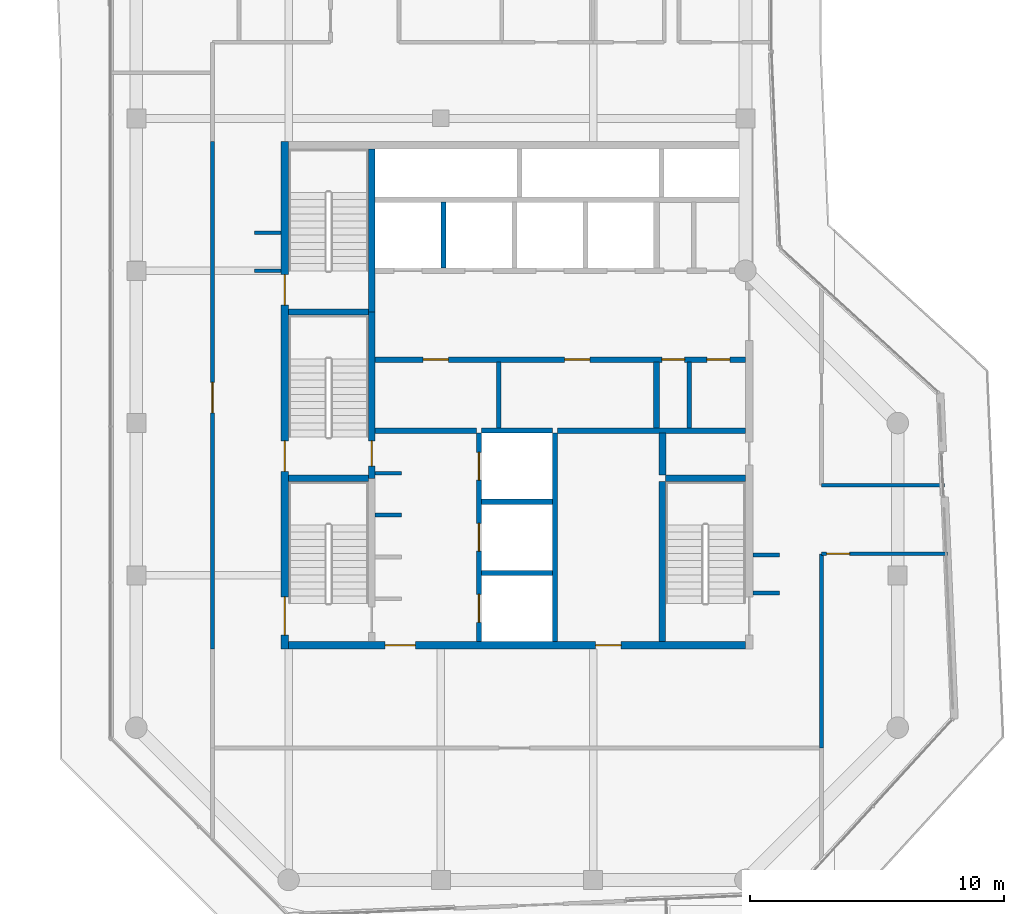
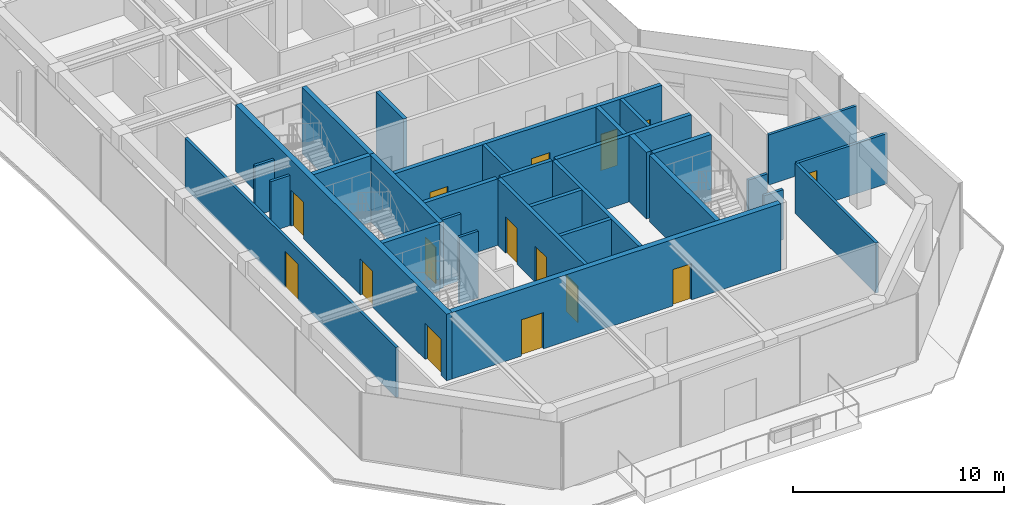
# One storey, part 16 of 20: 31 walls, 15 doors, 15 openings.
"""IFC4 building model written with IfcOpenShell, lengths in metres."""

from ifc_helpers import new_model, si_unit, direction, frame, frame_2d, origin, place, context, subcontext, project, spatial, rectangle, extrude, material, layer, layer_set, type_object, element, fill, save


model = new_model("IFC4")

# Units and contexts
model_context = context("Model", 3, precision=1e-05, world=origin(), true_north=direction((0.0, 1.0)))
body_context = subcontext(model_context, "Body", "Model", "MODEL_VIEW")
ifc_project = project(units=[si_unit("LENGTHUNIT", "METRE"), si_unit("AREAUNIT", "SQUARE_METRE"), si_unit("VOLUMEUNIT", "CUBIC_METRE"), si_unit("PLANEANGLEUNIT", "RADIAN"), si_unit("MASSUNIT", "GRAM", prefix="KILO")], contexts=[model_context])

# Site, building, storey
site_placement = place(None, origin())
site = spatial("IfcSite", under=ifc_project, at=site_placement, CompositionType="ELEMENT")
building_placement = place(site_placement, origin())
building = spatial("IfcBuilding", under=site, at=building_placement, Name="Welwitschia Terrace Campus", CompositionType="ELEMENT")
storey_placement = place(building_placement, frame((0.0, 0.0, 297.800048828125)))
storey = spatial("IfcBuildingStorey", under=building, at=storey_placement, Name="L66", CompositionType="ELEMENT", Elevation=297.800048828125)

# Walls
ifc_material_1 = material(Name="Concrete C32/40", Category="concrete")
ifc_layer_1 = layer(ifc_material_1, 0.175048828125)
ifc_layer_set_1 = layer_set([ifc_layer_1], Name="Concrete C32/40")
wall_type_1 = type_object("IfcWallType", Name="Core partition 175 Concrete C32/40", PredefinedType="PARTITIONING", material=ifc_layer_set_1)
for number, where, z_axis, x_axis, name in (
    (1, (14.27490234375, 13.800048828125, 0.0), (0.0, 0.0, 1.0), (0.0, 1.0, 0.0), "Core partition"),
    (2, (21.7900390625, 13.800048828125, 0.0), (0.0, 0.0, 1.0), (0.0, 1.0, 0.0), "Core partition"),
):
    element("IfcWall", number, at=place(storey_placement, frame(where, z_axis=z_axis, x_axis=x_axis)), inside=storey, type_object=wall_type_1, Name=name, PredefinedType="PARTITIONING", context=body_context, shape_type="SweptSolid", body=[
        extrude(rectangle(XDim=2.599853515625, YDim=0.175048828125, at=frame_2d((1.2998046875, 0.0))), origin(), (0.0, 0.0, 1.0), 3.849853515625),
    ])
ifc_material_2 = material(Name="Concrete C32/40", Category="concrete")
ifc_layer_2 = layer(ifc_material_2, 0.22509765625)
ifc_layer_set_2 = layer_set([ifc_layer_2], Name="Concrete C32/40")
wall_type_2 = type_object("IfcWallType", Name="Core partition 225 Concrete C32/40", PredefinedType="PARTITIONING", material=ifc_layer_set_2)
wall_1_placement = place(storey_placement, frame((9.39990234375, 13.699951171875, 0.0), z_axis=(0.0, 0.0, 1.0), x_axis=(1.0, 0.0, 0.0)))
element("IfcWall", 3, at=wall_1_placement, inside=storey, type_object=wall_type_2, Name="Core partition", PredefinedType="PARTITIONING", context=body_context, shape_type="SweptSolid", body=[
    extrude(rectangle(XDim=4.0, YDim=0.22509765625, at=frame_2d((2.0, 0.0))), origin(), (0.0, 0.0, 1.0), 3.849853515625),
])
wall_2_placement = place(storey_placement, frame((16.60009765625, 13.699951171875, 0.0), z_axis=(0.0, 0.0, 1.0), x_axis=(1.0, 0.0, 0.0)))
element("IfcWall", 4, at=wall_2_placement, inside=storey, type_object=wall_type_2, Name="Core partition", PredefinedType="PARTITIONING", context=body_context, shape_type="SweptSolid", body=[
    extrude(rectangle(XDim=7.39990234375, YDim=0.22509765625, at=frame_2d((3.699951171875, 0.0))), origin(), (0.0, 0.0, 1.0), 3.849853515625),
])

# Wall, openings, doors
wall_3_placement = place(storey_placement, frame((9.39990234375, 16.5, 0.0), z_axis=(0.0, 0.0, 1.0), x_axis=(1.0, 0.0, 0.0)))
wall_3 = element("IfcWall", 5, at=wall_3_placement, inside=storey, type_object=wall_type_2, Name="Core partition", PredefinedType="PARTITIONING", context=body_context, shape_type="SweptSolid", body=[
    extrude(rectangle(XDim=14.60009765625, YDim=0.22509765625, at=frame_2d((7.300048828125, 0.0))), origin(), (0.0, 0.0, 1.0), 3.849853515625),
])
opening_1_placement = place(wall_3_placement, frame((1.89990234375, 0.0, 0.0)))
opening_1 = element("IfcOpeningElement", 6, at=opening_1_placement, cuts=wall_3, Name="Opening DR10", PredefinedType="OPENING", context=body_context, shape_type="SweptSolid", body=[
    extrude(rectangle(XDim=1.0, YDim=2.10009765625, at=frame_2d((0.5, 1.050048828125))), frame((0.0, 0.12255859375, 0.0), z_axis=(0.0, -1.0, 0.0), x_axis=(1.0, 0.0, 0.0)), (0.0, 0.0, 1.0), 0.2451171875),
])
opening_2_placement = place(wall_3_placement, frame((7.47509765625, 0.0, 0.0)))
opening_2 = element("IfcOpeningElement", 7, at=opening_2_placement, cuts=wall_3, Name="Opening DR10", PredefinedType="OPENING", context=body_context, shape_type="SweptSolid", body=[
    extrude(rectangle(XDim=1.0, YDim=2.10009765625, at=frame_2d((0.5, 1.050048828125))), frame((0.0, 0.12255859375, 0.0), z_axis=(0.0, -1.0, 0.0), x_axis=(1.0, 0.0, 0.0)), (0.0, 0.0, 1.0), 0.2451171875),
])
opening_3_placement = place(wall_3_placement, frame((11.3076171875, 0.0, 0.0)))
opening_3 = element("IfcOpeningElement", 8, at=opening_3_placement, cuts=wall_3, Name="Opening DR09", PredefinedType="OPENING", context=body_context, shape_type="SweptSolid", body=[
    extrude(rectangle(XDim=0.89990234375, YDim=2.10009765625, at=frame_2d((0.449951171875, 1.050048828125))), frame((0.0, 0.12255859375, 0.0), z_axis=(0.0, -1.0, 0.0), x_axis=(1.0, 0.0, 0.0)), (0.0, 0.0, 1.0), 0.2451171875),
])
opening_4_placement = place(wall_3_placement, frame((13.08251953125, 0.0, 0.0)))
opening_4 = element("IfcOpeningElement", 9, at=opening_4_placement, cuts=wall_3, Name="Opening DR09", PredefinedType="OPENING", context=body_context, shape_type="SweptSolid", body=[
    extrude(rectangle(XDim=0.89990234375, YDim=2.10009765625, at=frame_2d((0.449951171875, 1.050048828125))), frame((0.0, 0.12255859375, 0.0), z_axis=(0.0, -1.0, 0.0), x_axis=(1.0, 0.0, 0.0)), (0.0, 0.0, 1.0), 0.2451171875),
])
ifc_material_3 = material(Name="Steel S275", Category="steel")
door_type_1 = type_object("IfcDoorType", Name="Core door DR09", OperationType="SINGLE_SWING_LEFT", PredefinedType="DOOR", material=ifc_material_3)
door_1_placement = place(opening_3_placement, origin())
door_1 = element("IfcDoor", 10, at=door_1_placement, inside=storey, type_object=door_type_1, Name="Door EL1-D", OperationType="SINGLE_SWING_RIGHT", OverallHeight=2.10009765625, OverallWidth=0.89990234375, PredefinedType="DOOR", context=body_context, shape_type="SweptSolid", body=[
    extrude(rectangle(XDim=0.89990234375, YDim=2.10009765625, at=frame_2d((0.449951171875, 1.050048828125))), frame((0.0, 0.02490234375, 0.0), z_axis=(0.0, -1.0, 0.0), x_axis=(1.0, 0.0, 0.0)), (0.0, 0.0, 1.0), 0.050048828125),
])
fill(opening_3, door_1)
door_2_placement = place(opening_4_placement, origin())
door_2 = element("IfcDoor", 11, at=door_2_placement, inside=storey, type_object=door_type_1, Name="Door EL2-D", OperationType="SINGLE_SWING_RIGHT", OverallHeight=2.10009765625, OverallWidth=0.89990234375, PredefinedType="DOOR", context=body_context, shape_type="SweptSolid", body=[
    extrude(rectangle(XDim=0.89990234375, YDim=2.10009765625, at=frame_2d((0.449951171875, 1.050048828125))), frame((0.0, 0.02490234375, 0.0), z_axis=(0.0, -1.0, 0.0), x_axis=(1.0, 0.0, 0.0)), (0.0, 0.0, 1.0), 0.050048828125),
])
fill(opening_4, door_2)
ifc_material_4 = material(Name="Steel S275", Category="steel")
door_type_2 = type_object("IfcDoorType", Name="Core door DR10", OperationType="SINGLE_SWING_LEFT", PredefinedType="DOOR", material=ifc_material_4)
door_3_placement = place(opening_1_placement, origin())
door_3 = element("IfcDoor", 12, at=door_3_placement, inside=storey, type_object=door_type_2, Name="Door BAYL1-D", OperationType="SINGLE_SWING_LEFT", OverallHeight=2.10009765625, OverallWidth=1.0, PredefinedType="DOOR", context=body_context, shape_type="SweptSolid", body=[
    extrude(rectangle(XDim=1.0, YDim=2.10009765625, at=frame_2d((0.5, 1.050048828125))), frame((0.0, 0.02490234375, 0.0), z_axis=(0.0, -1.0, 0.0), x_axis=(1.0, 0.0, 0.0)), (0.0, 0.0, 1.0), 0.050048828125),
])
fill(opening_1, door_3)
door_4_placement = place(opening_2_placement, origin())
door_4 = element("IfcDoor", 13, at=door_4_placement, inside=storey, type_object=door_type_2, Name="Door BAYL2-D", OperationType="SINGLE_SWING_RIGHT", OverallHeight=2.10009765625, OverallWidth=1.0, PredefinedType="DOOR", context=body_context, shape_type="SweptSolid", body=[
    extrude(rectangle(XDim=1.0, YDim=2.10009765625, at=frame_2d((0.5, 1.050048828125))), frame((0.0, 0.02490234375, 0.0), z_axis=(0.0, -1.0, 0.0), x_axis=(1.0, 0.0, 0.0)), (0.0, 0.0, 1.0), 0.050048828125),
])
fill(opening_2, door_4)

# Walls
wall_4_placement = place(storey_placement, frame((20.5, 13.800048828125, 0.0), z_axis=(0.0, 0.0, 1.0), x_axis=(0.0, 1.0, 0.0)))
element("IfcWall", 14, at=wall_4_placement, inside=storey, type_object=wall_type_2, Name="Core partition", PredefinedType="PARTITIONING", context=body_context, shape_type="SweptSolid", body=[
    extrude(rectangle(XDim=2.599853515625, YDim=0.22509765625, at=frame_2d((1.2998046875, 0.0))), origin(), (0.0, 0.0, 1.0), 3.849853515625),
])
ifc_material_5 = material(Name="Concrete C32/40", Category="concrete")
ifc_layer_3 = layer(ifc_material_5, 0.27490234375)
ifc_layer_set_3 = layer_set([ifc_layer_3], Name="Concrete C32/40")
wall_type_3 = type_object("IfcWallType", Name="Core partition 275 Concrete C32/40", PredefinedType="PARTITIONING", material=ifc_layer_set_3)
wall_5_placement = place(storey_placement, frame((20.72509765625, 11.949951171875, 0.0), z_axis=(0.0, 0.0, 1.0), x_axis=(0.0, 1.0, 0.0)))
element("IfcWall", 15, at=wall_5_placement, inside=storey, type_object=wall_type_3, Name="Core partition", PredefinedType="PARTITIONING", context=body_context, shape_type="SweptSolid", body=[
    extrude(rectangle(XDim=1.650146484375, YDim=0.27490234375, at=frame_2d((0.8251953125, 0.0))), origin(), (0.0, 0.0, 1.0), 3.849853515625),
])
ifc_material_6 = material(Name="Concrete C50/60", Category="concrete")
ifc_layer_4 = layer(ifc_material_6, 0.14990234375)
ifc_layer_set_4 = layer_set([ifc_layer_4], Name="Concrete C50/60")
wall_type_4 = type_object("IfcWallType", Name="Core wall 150 Concrete C50/60", PredefinedType="SHEAR", material=ifc_layer_set_4)
for number, where, z_axis, x_axis, name in (
    (16, (9.39990234375, 10.375, 0.0), (0.0, 0.0, 1.0), (1.0, 0.0, 0.0), "Core wall"),
    (17, (9.39990234375, 12.02490234375, 0.0), (0.0, 0.0, 1.0), (1.0, 0.0, 0.0), "Core wall"),
):
    element("IfcWall", number, at=place(storey_placement, frame(where, z_axis=z_axis, x_axis=x_axis)), inside=storey, type_object=wall_type_4, Name=name, PredefinedType="SHEAR", context=body_context, shape_type="SweptSolid", body=[
        extrude(rectangle(XDim=1.050048828125, YDim=0.14990234375, at=frame_2d((0.52490234375, 0.0))), origin(), (0.0, 0.0, 1.0), 3.849853515625),
    ])
ifc_material_7 = material(Name="Concrete C50/60", Category="concrete")
ifc_layer_5 = layer(ifc_material_7, 0.199951171875)
ifc_layer_set_5 = layer_set([ifc_layer_5], Name="Concrete C50/60")
wall_type_5 = type_object("IfcWallType", Name="Core wall 200 Concrete C50/60", PredefinedType="SHEAR", material=ifc_layer_set_5)
for number, where, z_axis, x_axis, name in (
    (18, (13.60009765625, 8.10009765625, 0.0), (0.0, 0.0, 1.0), (1.0, 0.0, 0.0), "Core wall"),
    (19, (13.60009765625, 10.89990234375, 0.0), (0.0, 0.0, 1.0), (1.0, 0.0, 0.0), "Core wall"),
    (20, (13.60009765625, 13.699951171875, 0.0), (0.0, 0.0, 1.0), (1.0, 0.0, 0.0), "Core wall"),
):
    element("IfcWall", number, at=place(storey_placement, frame(where, z_axis=z_axis, x_axis=x_axis)), inside=storey, type_object=wall_type_5, Name=name, PredefinedType="SHEAR", context=body_context, shape_type="SweptSolid", body=[
        extrude(rectangle(XDim=2.7998046875, YDim=0.199951171875, at=frame_2d((1.39990234375, 0.0))), origin(), (0.0, 0.0, 1.0), 3.849853515625),
    ])

# Wall, openings, doors
wall_6_placement = place(storey_placement, frame((13.5, 5.39990234375, 0.0), z_axis=(0.0, 0.0, 1.0), x_axis=(0.0, 1.0, 0.0)))
wall_6 = element("IfcWall", 21, at=wall_6_placement, inside=storey, type_object=wall_type_5, Name="Core wall", PredefinedType="SHEAR", context=body_context, shape_type="SweptSolid", body=[
    extrude(rectangle(XDim=8.2001953125, YDim=0.199951171875, at=frame_2d((4.10009765625, 0.0))), origin(), (0.0, 0.0, 1.0), 3.849853515625),
])
opening_5_placement = place(wall_6_placement, frame((0.75, 0.0, 0.0)))
opening_5 = element("IfcOpeningElement", 22, at=opening_5_placement, cuts=wall_6, Name="Opening LD", PredefinedType="OPENING", context=body_context, shape_type="SweptSolid", body=[
    extrude(rectangle(XDim=1.10009765625, YDim=2.10009765625, at=frame_2d((0.550048828125, 1.050048828125))), frame((0.0, 0.10986328125, 0.0), z_axis=(0.0, -1.0, 0.0), x_axis=(1.0, 0.0, 0.0)), (0.0, 0.0, 1.0), 0.219970703125),
])
opening_6_placement = place(wall_6_placement, frame((3.550048828125, 0.0, 0.0)))
opening_6 = element("IfcOpeningElement", 23, at=opening_6_placement, cuts=wall_6, Name="Opening LD", PredefinedType="OPENING", context=body_context, shape_type="SweptSolid", body=[
    extrude(rectangle(XDim=1.10009765625, YDim=2.10009765625, at=frame_2d((0.550048828125, 1.050048828125))), frame((0.0, 0.10986328125, 0.0), z_axis=(0.0, -1.0, 0.0), x_axis=(1.0, 0.0, 0.0)), (0.0, 0.0, 1.0), 0.219970703125),
])
opening_7_placement = place(wall_6_placement, frame((6.35009765625, 0.0, 0.0)))
opening_7 = element("IfcOpeningElement", 24, at=opening_7_placement, cuts=wall_6, Name="Opening LD", PredefinedType="OPENING", context=body_context, shape_type="SweptSolid", body=[
    extrude(rectangle(XDim=1.10009765625, YDim=2.10009765625, at=frame_2d((0.550048828125, 1.050048828125))), frame((0.0, 0.10986328125, 0.0), z_axis=(0.0, -1.0, 0.0), x_axis=(1.0, 0.0, 0.0)), (0.0, 0.0, 1.0), 0.219970703125),
])
ifc_material_8 = material(Name="Stainless steel 304", Category="steel")
door_type_3 = type_object("IfcDoorType", Name="Lift landing door", OperationType="DOUBLE_DOOR_SLIDING", PredefinedType="DOOR", material=ifc_material_8)
door_5_placement = place(opening_5_placement, origin())
door_5 = element("IfcDoor", 25, at=door_5_placement, inside=storey, type_object=door_type_3, Name="Landing door FF1", OperationType="DOUBLE_DOOR_SLIDING", OverallHeight=2.10009765625, OverallWidth=1.10009765625, PredefinedType="DOOR", context=body_context, shape_type="SweptSolid", body=[
    extrude(rectangle(XDim=1.10009765625, YDim=2.10009765625, at=frame_2d((0.550048828125, 1.050048828125))), frame((0.0, 0.02490234375, 0.0), z_axis=(0.0, -1.0, 0.0), x_axis=(1.0, 0.0, 0.0)), (0.0, 0.0, 1.0), 0.050048828125),
])
fill(opening_5, door_5)
door_6_placement = place(opening_6_placement, origin())
door_6 = element("IfcDoor", 26, at=door_6_placement, inside=storey, type_object=door_type_3, Name="Landing door FF2", OperationType="DOUBLE_DOOR_SLIDING", OverallHeight=2.10009765625, OverallWidth=1.10009765625, PredefinedType="DOOR", context=body_context, shape_type="SweptSolid", body=[
    extrude(rectangle(XDim=1.10009765625, YDim=2.10009765625, at=frame_2d((0.550048828125, 1.050048828125))), frame((0.0, 0.02490234375, 0.0), z_axis=(0.0, -1.0, 0.0), x_axis=(1.0, 0.0, 0.0)), (0.0, 0.0, 1.0), 0.050048828125),
])
fill(opening_6, door_6)
door_7_placement = place(opening_7_placement, origin())
door_7 = element("IfcDoor", 27, at=door_7_placement, inside=storey, type_object=door_type_3, Name="Landing door SV1", OperationType="DOUBLE_DOOR_SLIDING", OverallHeight=2.10009765625, OverallWidth=1.10009765625, PredefinedType="DOOR", context=body_context, shape_type="SweptSolid", body=[
    extrude(rectangle(XDim=1.10009765625, YDim=2.10009765625, at=frame_2d((0.550048828125, 1.050048828125))), frame((0.0, 0.02490234375, 0.0), z_axis=(0.0, -1.0, 0.0), x_axis=(1.0, 0.0, 0.0)), (0.0, 0.0, 1.0), 0.050048828125),
])
fill(opening_7, door_7)

# Walls
wall_7_placement = place(storey_placement, frame((16.5, 5.39990234375, 0.0), z_axis=(0.0, 0.0, 1.0), x_axis=(0.0, 1.0, 0.0)))
element("IfcWall", 28, at=wall_7_placement, inside=storey, type_object=wall_type_5, Name="Core wall", PredefinedType="SHEAR", context=body_context, shape_type="SweptSolid", body=[
    extrude(rectangle(XDim=8.2001953125, YDim=0.199951171875, at=frame_2d((4.10009765625, 0.0))), origin(), (0.0, 0.0, 1.0), 3.849853515625),
])
ifc_material_9 = material(Name="Concrete C50/60", Category="concrete")
ifc_layer_6 = layer(ifc_material_9, 0.25)
ifc_layer_set_6 = layer_set([ifc_layer_6], Name="Concrete C50/60")
wall_type_6 = type_object("IfcWallType", Name="Core wall 250 Concrete C50/60", PredefinedType="SHEAR", material=ifc_layer_set_6)
for number, where, z_axis, x_axis, name in (
    (29, (6.0, 11.824951171875, 0.0), (0.0, 0.0, 1.0), (1.0, 0.0, 0.0), "Core wall"),
    (30, (20.85009765625, 11.824951171875, 0.0), (0.0, 0.0, 1.0), (1.0, 0.0, 0.0), "Core wall"),
    (31, (6.0, 18.375, 0.0), (0.0, 0.0, 1.0), (1.0, 0.0, 0.0), "Core wall"),
):
    element("IfcWall", number, at=place(storey_placement, frame(where, z_axis=z_axis, x_axis=x_axis)), inside=storey, type_object=wall_type_6, Name=name, PredefinedType="SHEAR", context=body_context, shape_type="SweptSolid", body=[
        extrude(rectangle(XDim=3.14990234375, YDim=0.25, at=frame_2d((1.574951171875, 0.0))), origin(), (0.0, 0.0, 1.0), 3.849853515625),
    ])

# Wall, opening, door
wall_8_placement = place(storey_placement, frame((9.27490234375, 18.375, 0.0), z_axis=(0.0, 0.0, 1.0), x_axis=(0.0, -1.0, 0.0)))
wall_8 = element("IfcWall", 32, at=wall_8_placement, inside=storey, type_object=wall_type_6, Name="Core wall", PredefinedType="SHEAR", context=body_context, shape_type="SweptSolid", body=[
    extrude(rectangle(XDim=6.550048828125, YDim=0.25, at=frame_2d((3.27490234375, 0.0))), origin(), (0.0, 0.0, 1.0), 3.849853515625),
])
opening_8_placement = place(wall_8_placement, frame((5.074951171875, 0.0, 0.0)))
opening_8 = element("IfcOpeningElement", 33, at=opening_8_placement, cuts=wall_8, Name="Opening DS10", PredefinedType="OPENING", context=body_context, shape_type="SweptSolid", body=[
    extrude(rectangle(XDim=1.0, YDim=2.10009765625, at=frame_2d((0.5, 1.050048828125))), frame((0.0, 0.135009765625, 0.0), z_axis=(0.0, -1.0, 0.0), x_axis=(1.0, 0.0, 0.0)), (0.0, 0.0, 1.0), 0.27001953125),
])
ifc_material_10 = material(Name="Steel S275", Category="steel")
door_type_4 = type_object("IfcDoorType", Name="Core door DS10", OperationType="SINGLE_SWING_LEFT", PredefinedType="DOOR", material=ifc_material_10)
door_8_placement = place(opening_8_placement, origin())
door_8 = element("IfcDoor", 34, at=door_8_placement, inside=storey, type_object=door_type_4, Name="Door S3-FL", OperationType="SINGLE_SWING_RIGHT", OverallHeight=2.10009765625, OverallWidth=1.0, PredefinedType="DOOR", context=body_context, shape_type="SweptSolid", body=[
    extrude(rectangle(XDim=1.0, YDim=2.10009765625, at=frame_2d((0.5, 1.050048828125))), frame((0.0, 0.02490234375, 0.0), z_axis=(0.0, -1.0, 0.0), x_axis=(1.0, 0.0, 0.0)), (0.0, 0.0, 1.0), 0.050048828125),
])
fill(opening_8, door_8)

# Walls
wall_9_placement = place(storey_placement, frame((9.27490234375, 18.375, 0.0), z_axis=(0.0, 0.0, 1.0), x_axis=(0.0, 1.0, 0.0)))
element("IfcWall", 35, at=wall_9_placement, inside=storey, type_object=wall_type_6, Name="Core wall", PredefinedType="SHEAR", context=body_context, shape_type="SweptSolid", body=[
    extrude(rectangle(XDim=6.425048828125, YDim=0.25, at=frame_2d((3.21240234375, 0.0))), origin(), (0.0, 0.0, 1.0), 3.849853515625),
])
wall_10_placement = place(storey_placement, frame((20.72509765625, 5.39990234375, 0.0), z_axis=(0.0, 0.0, 1.0), x_axis=(0.0, 1.0, 0.0)))
element("IfcWall", 36, at=wall_10_placement, inside=storey, type_object=wall_type_6, Name="Core wall", PredefinedType="SHEAR", context=body_context, shape_type="SweptSolid", body=[
    extrude(rectangle(XDim=6.300048828125, YDim=0.25, at=frame_2d((3.14990234375, 0.0))), origin(), (0.0, 0.0, 1.0), 3.849853515625),
])

# Wall, openings, doors
ifc_material_11 = material(Name="Concrete C50/60", Category="concrete")
ifc_layer_7 = layer(ifc_material_11, 0.300048828125)
ifc_layer_set_7 = layer_set([ifc_layer_7], Name="Concrete C50/60")
wall_type_7 = type_object("IfcWallType", Name="Core wall 300 Concrete C50/60", PredefinedType="SHEAR", material=ifc_layer_set_7)
wall_11_placement = place(storey_placement, frame((5.85009765625, 5.10009765625, 0.0), z_axis=(0.0, 0.0, 1.0), x_axis=(0.0, 1.0, 0.0)))
wall_11 = element("IfcWall", 37, at=wall_11_placement, inside=storey, type_object=wall_type_7, Name="Core outer wall", PredefinedType="SHEAR", context=body_context, shape_type="SweptSolid", body=[
    extrude(rectangle(XDim=20.0, YDim=0.300048828125, at=frame_2d((10.0, 0.0))), origin(), (0.0, 0.0, 1.0), 3.849853515625),
])
opening_9_placement = place(wall_11_placement, frame((0.550048828125, 0.0, 0.0)))
opening_9 = element("IfcOpeningElement", 38, at=opening_9_placement, cuts=wall_11, Name="Opening DS15", PredefinedType="OPENING", context=body_context, shape_type="SweptSolid", body=[
    extrude(rectangle(XDim=1.5, YDim=2.10009765625, at=frame_2d((0.75, 1.050048828125))), frame((0.0, 0.159912109375, 0.0), z_axis=(0.0, -1.0, 0.0), x_axis=(1.0, 0.0, 0.0)), (0.0, 0.0, 1.0), 0.320068359375),
])
opening_10_placement = place(wall_11_placement, frame((7.0, 0.0, 0.0)))
opening_10 = element("IfcOpeningElement", 39, at=opening_10_placement, cuts=wall_11, Name="Opening DS12", PredefinedType="OPENING", context=body_context, shape_type="SweptSolid", body=[
    extrude(rectangle(XDim=1.199951171875, YDim=2.10009765625, at=frame_2d((0.60009765625, 1.050048828125))), frame((0.0, 0.159912109375, 0.0), z_axis=(0.0, -1.0, 0.0), x_axis=(1.0, 0.0, 0.0)), (0.0, 0.0, 1.0), 0.320068359375),
])
opening_11_placement = place(wall_11_placement, frame((13.550048828125, 0.0, 0.0)))
opening_11 = element("IfcOpeningElement", 40, at=opening_11_placement, cuts=wall_11, Name="Opening DS12", PredefinedType="OPENING", context=body_context, shape_type="SweptSolid", body=[
    extrude(rectangle(XDim=1.199951171875, YDim=2.10009765625, at=frame_2d((0.60009765625, 1.050048828125))), frame((0.0, 0.159912109375, 0.0), z_axis=(0.0, -1.0, 0.0), x_axis=(1.0, 0.0, 0.0)), (0.0, 0.0, 1.0), 0.320068359375),
])
ifc_material_12 = material(Name="Steel S275", Category="steel")
door_type_5 = type_object("IfcDoorType", Name="Core door DS12", OperationType="SINGLE_SWING_LEFT", PredefinedType="DOOR", material=ifc_material_12)
door_9_placement = place(opening_10_placement, origin())
door_9 = element("IfcDoor", 41, at=door_9_placement, inside=storey, type_object=door_type_5, Name="Door S3-out", OperationType="SINGLE_SWING_LEFT", OverallHeight=2.10009765625, OverallWidth=1.199951171875, PredefinedType="DOOR", context=body_context, shape_type="SweptSolid", body=[
    extrude(rectangle(XDim=1.199951171875, YDim=2.10009765625, at=frame_2d((0.60009765625, 1.050048828125))), frame((0.0, 0.02490234375, 0.0), z_axis=(0.0, -1.0, 0.0), x_axis=(1.0, 0.0, 0.0)), (0.0, 0.0, 1.0), 0.050048828125),
])
fill(opening_10, door_9)
door_10_placement = place(opening_11_placement, origin())
door_10 = element("IfcDoor", 42, at=door_10_placement, inside=storey, type_object=door_type_5, Name="Door S4-out", OperationType="SINGLE_SWING_RIGHT", OverallHeight=2.10009765625, OverallWidth=1.199951171875, PredefinedType="DOOR", context=body_context, shape_type="SweptSolid", body=[
    extrude(rectangle(XDim=1.199951171875, YDim=2.10009765625, at=frame_2d((0.60009765625, 1.050048828125))), frame((0.0, 0.02490234375, 0.0), z_axis=(0.0, -1.0, 0.0), x_axis=(1.0, 0.0, 0.0)), (0.0, 0.0, 1.0), 0.050048828125),
])
fill(opening_11, door_10)
ifc_material_13 = material(Name="Steel S275", Category="steel")
door_type_6 = type_object("IfcDoorType", Name="Core door DS15", OperationType="DOUBLE_DOOR_SINGLE_SWING", PredefinedType="DOOR", material=ifc_material_13)
door_11_placement = place(opening_9_placement, origin())
door_11 = element("IfcDoor", 43, at=door_11_placement, inside=storey, type_object=door_type_6, Name="Door S1-out", OperationType="DOUBLE_DOOR_SINGLE_SWING", OverallHeight=2.10009765625, OverallWidth=1.5, PredefinedType="DOOR", context=body_context, shape_type="SweptSolid", body=[
    extrude(rectangle(XDim=1.5, YDim=2.10009765625, at=frame_2d((0.75, 1.050048828125))), frame((0.0, 0.02490234375, 0.0), z_axis=(0.0, -1.0, 0.0), x_axis=(1.0, 0.0, 0.0)), (0.0, 0.0, 1.0), 0.050048828125),
])
fill(opening_9, door_11)

wall_12_placement = place(storey_placement, frame((24.0, 5.25, 0.0), z_axis=(0.0, 0.0, 1.0), x_axis=(-1.0, 0.0, 0.0)))
wall_12 = element("IfcWall", 44, at=wall_12_placement, inside=storey, type_object=wall_type_7, Name="Core outer wall", PredefinedType="SHEAR", context=body_context, shape_type="SweptSolid", body=[
    extrude(rectangle(XDim=18.0, YDim=0.300048828125, at=frame_2d((9.0, 0.0))), origin(), (0.0, 0.0, 1.0), 3.849853515625),
])
opening_12_placement = place(wall_12_placement, frame((13.0, 0.0, 0.0)))
opening_12 = element("IfcOpeningElement", 45, at=opening_12_placement, cuts=wall_12, Name="Opening DF12", PredefinedType="OPENING", context=body_context, shape_type="SweptSolid", body=[
    extrude(rectangle(XDim=1.199951171875, YDim=2.10009765625, at=frame_2d((0.60009765625, 1.050048828125))), frame((0.0, 0.159912109375, 0.0), z_axis=(0.0, -1.0, 0.0), x_axis=(1.0, 0.0, 0.0)), (0.0, 0.0, 1.0), 0.320068359375),
])
opening_13_placement = place(wall_12_placement, frame((4.89990234375, 0.0, 0.0)))
opening_13 = element("IfcOpeningElement", 46, at=opening_13_placement, cuts=wall_12, Name="Opening DR10", PredefinedType="OPENING", context=body_context, shape_type="SweptSolid", body=[
    extrude(rectangle(XDim=1.0, YDim=2.10009765625, at=frame_2d((0.5, 1.050048828125))), frame((0.0, 0.159912109375, 0.0), z_axis=(0.0, -1.0, 0.0), x_axis=(1.0, 0.0, 0.0)), (0.0, 0.0, 1.0), 0.320068359375),
])
ifc_material_14 = material(Name="Steel S275", Category="steel")
door_type_7 = type_object("IfcDoorType", Name="Core door DF12", OperationType="SINGLE_SWING_LEFT", PredefinedType="DOOR", material=ifc_material_14)
door_12_placement = place(opening_12_placement, origin())
door_12 = element("IfcDoor", 47, at=door_12_placement, inside=storey, type_object=door_type_7, Name="Door FL-out", OperationType="SINGLE_SWING_RIGHT", OverallHeight=2.10009765625, OverallWidth=1.199951171875, PredefinedType="DOOR", context=body_context, shape_type="SweptSolid", body=[
    extrude(rectangle(XDim=1.199951171875, YDim=2.10009765625, at=frame_2d((0.60009765625, 1.050048828125))), frame((0.0, 0.02490234375, 0.0), z_axis=(0.0, -1.0, 0.0), x_axis=(1.0, 0.0, 0.0)), (0.0, 0.0, 1.0), 0.050048828125),
])
fill(opening_12, door_12)
door_13_placement = place(opening_13_placement, origin())
door_13 = element("IfcDoor", 48, at=door_13_placement, inside=storey, type_object=door_type_2, Name="Door F1-out", OperationType="SINGLE_SWING_LEFT", OverallHeight=2.10009765625, OverallWidth=1.0, PredefinedType="DOOR", context=body_context, shape_type="SweptSolid", body=[
    extrude(rectangle(XDim=1.0, YDim=2.10009765625, at=frame_2d((0.5, 1.050048828125))), frame((0.0, 0.02490234375, 0.0), z_axis=(0.0, -1.0, 0.0), x_axis=(1.0, 0.0, 0.0)), (0.0, 0.0, 1.0), 0.050048828125),
])
fill(opening_13, door_13)

# Wall, opening, door
ifc_material_15 = material(Name="Gypsum board on steel studs", Category="steel")
ifc_layer_8 = layer(ifc_material_15, 0.14990234375)
ifc_layer_set_8 = layer_set([ifc_layer_8], Name="Gypsum board on steel studs")
wall_type_8 = type_object("IfcWallType", Name="Corridor partition 150 EI 30", PredefinedType="PARTITIONING", material=ifc_layer_set_8)
wall_13_placement = place(storey_placement, frame((3.0, 5.10009765625, 0.0), z_axis=(0.0, 0.0, 1.0), x_axis=(0.0, 1.0, 0.0)))
wall_13 = element("IfcWall", 49, at=wall_13_placement, inside=storey, type_object=wall_type_8, Name="Partition", PredefinedType="PARTITIONING", context=body_context, shape_type="SweptSolid", body=[
    extrude(rectangle(XDim=20.0, YDim=0.14990234375, at=frame_2d((10.0, 0.0))), origin(), (0.0, 0.0, 1.0), 2.89990234375),
])
opening_14_placement = place(wall_13_placement, frame((9.300048828125, 0.0, 0.0)))
opening_14 = element("IfcOpeningElement", 50, at=opening_14_placement, cuts=wall_13, Name="Opening DI12", PredefinedType="OPENING", context=body_context, shape_type="SweptSolid", body=[
    extrude(rectangle(XDim=1.199951171875, YDim=2.10009765625, at=frame_2d((0.60009765625, 1.050048828125))), frame((0.0, 0.0849609375, 0.0), z_axis=(0.0, -1.0, 0.0), x_axis=(1.0, 0.0, 0.0)), (0.0, 0.0, 1.0), 0.169921875),
])
ifc_material_16 = material(Name="Timber veneered door", Category="wood")
door_type_8 = type_object("IfcDoorType", Name="Interior door DI12", OperationType="NOTDEFINED", PredefinedType="DOOR", material=ifc_material_16)
door_14_placement = place(opening_14_placement, origin())
door_14 = element("IfcDoor", 51, at=door_14_placement, inside=storey, type_object=door_type_8, Name="Door L66 1168", OperationType="SINGLE_SWING_LEFT", OverallHeight=2.10009765625, OverallWidth=1.199951171875, PredefinedType="DOOR", context=body_context, shape_type="SweptSolid", body=[
    extrude(rectangle(XDim=1.199951171875, YDim=2.10009765625, at=frame_2d((0.60009765625, 1.050048828125))), frame((0.0, 0.02490234375, 0.0), z_axis=(0.0, -1.0, 0.0), x_axis=(1.0, 0.0, 0.0)), (0.0, 0.0, 1.0), 0.050048828125),
])
fill(opening_14, door_14)

# Walls
for number, where, z_axis, x_axis, name in (
    (52, (4.64990234375, 20.0, 0.0), (0.0, 0.0, 1.0), (1.0, 0.0, 0.0), "Partition"),
    (53, (4.64990234375, 21.5, 0.0), (0.0, 0.0, 1.0), (1.0, 0.0, 0.0), "Partition"),
    (54, (24.300048828125, 7.300048828125, 0.0), (0.0, 0.0, 1.0), (1.0, 0.0, 0.0), "Partition"),
    (55, (24.300048828125, 8.800048828125, 0.0), (0.0, 0.0, 1.0), (1.0, 0.0, 0.0), "Partition"),
):
    element("IfcWall", number, at=place(storey_placement, frame(where, z_axis=z_axis, x_axis=x_axis)), inside=storey, type_object=wall_type_8, Name=name, PredefinedType="PARTITIONING", context=body_context, shape_type="SweptSolid", body=[
        extrude(rectangle(XDim=1.050048828125, YDim=0.14990234375, at=frame_2d((0.52490234375, 0.0))), origin(), (0.0, 0.0, 1.0), 2.89990234375),
    ])
wall_14_placement = place(storey_placement, frame((27.0, 1.199951171875, 0.0), z_axis=(0.0, 0.0, 1.0), x_axis=(0.0, 1.0, 0.0)))
element("IfcWall", 56, at=wall_14_placement, inside=storey, type_object=wall_type_8, Name="Partition", PredefinedType="PARTITIONING", context=body_context, shape_type="SweptSolid", body=[
    extrude(rectangle(XDim=7.650146484375, YDim=0.14990234375, at=frame_2d((3.8251953125, 0.0))), origin(), (0.0, 0.0, 1.0), 2.89990234375),
])
wall_15_placement = place(storey_placement, frame((27.0, 11.550048828125, 0.0), z_axis=(0.0, 0.0, 1.0), x_axis=(1.0, 0.0, 0.0)))
element("IfcWall", 57, at=wall_15_placement, inside=storey, type_object=wall_type_8, Name="Partition", PredefinedType="PARTITIONING", context=body_context, shape_type="SweptSolid", body=[
    extrude(rectangle(XDim=4.841552734375, YDim=0.14990234375, at=frame_2d((2.4208984375, 0.0))), origin(), (0.0, 0.0, 1.0), 2.89990234375),
])

# Wall, opening, door
wall_16_placement = place(storey_placement, frame((31.95947265625, 8.85009765625, 0.0), z_axis=(0.0, 0.0, 1.0), x_axis=(-1.0, 0.0, 0.0)))
wall_16 = element("IfcWall", 58, at=wall_16_placement, inside=storey, type_object=wall_type_8, Name="Partition", PredefinedType="PARTITIONING", context=body_context, shape_type="SweptSolid", body=[
    extrude(rectangle(XDim=4.95947265625, YDim=0.14990234375, at=frame_2d((2.479736328125, 0.0))), origin(), (0.0, 0.0, 1.0), 2.89990234375),
])
opening_15_placement = place(wall_16_placement, frame((3.859375, 0.0, 0.0)))
opening_15 = element("IfcOpeningElement", 59, at=opening_15_placement, cuts=wall_16, Name="Opening DI09", PredefinedType="OPENING", context=body_context, shape_type="SweptSolid", body=[
    extrude(rectangle(XDim=0.89990234375, YDim=2.10009765625, at=frame_2d((0.449951171875, 1.050048828125))), frame((0.0, 0.0849609375, 0.0), z_axis=(0.0, -1.0, 0.0), x_axis=(1.0, 0.0, 0.0)), (0.0, 0.0, 1.0), 0.169921875),
])
ifc_material_17 = material(Name="Timber veneered door", Category="wood")
door_type_9 = type_object("IfcDoorType", Name="Interior door DI09", OperationType="NOTDEFINED", PredefinedType="DOOR", material=ifc_material_17)
door_15_placement = place(opening_15_placement, origin())
door_15 = element("IfcDoor", 60, at=door_15_placement, inside=storey, type_object=door_type_9, Name="Door L66 1183", OperationType="SINGLE_SWING_RIGHT", OverallHeight=2.10009765625, OverallWidth=0.89990234375, PredefinedType="DOOR", context=body_context, shape_type="SweptSolid", body=[
    extrude(rectangle(XDim=0.89990234375, YDim=2.10009765625, at=frame_2d((0.449951171875, 1.050048828125))), frame((0.0, 0.02490234375, 0.0), z_axis=(0.0, -1.0, 0.0), x_axis=(1.0, 0.0, 0.0)), (0.0, 0.0, 1.0), 0.050048828125),
])
fill(opening_15, door_15)

# Wall
ifc_material_18 = material(Name="Concrete C32/40", Category="concrete")
ifc_layer_9 = layer(ifc_material_18, 0.199951171875)
ifc_layer_set_9 = layer_set([ifc_layer_9], Name="Concrete C32/40")
wall_type_9 = type_object("IfcWallType", Name="Shaft wall 200 Concrete C32/40", PredefinedType="SOLIDWALL", material=ifc_layer_set_9)
wall_17_placement = place(storey_placement, frame((12.10009765625, 20.10009765625, 0.0), z_axis=(0.0, 0.0, 1.0), x_axis=(0.0, 1.0, 0.0)))
element("IfcWall", 61, at=wall_17_placement, inside=storey, type_object=wall_type_9, Name="Shaft wall", PredefinedType="SOLIDWALL", context=body_context, shape_type="SweptSolid", body=[
    extrude(rectangle(XDim=2.599853515625, YDim=0.199951171875, at=frame_2d((1.2998046875, 0.0))), origin(), (0.0, 0.0, 1.0), 3.849853515625),
])

save(model, "model.ifc")
